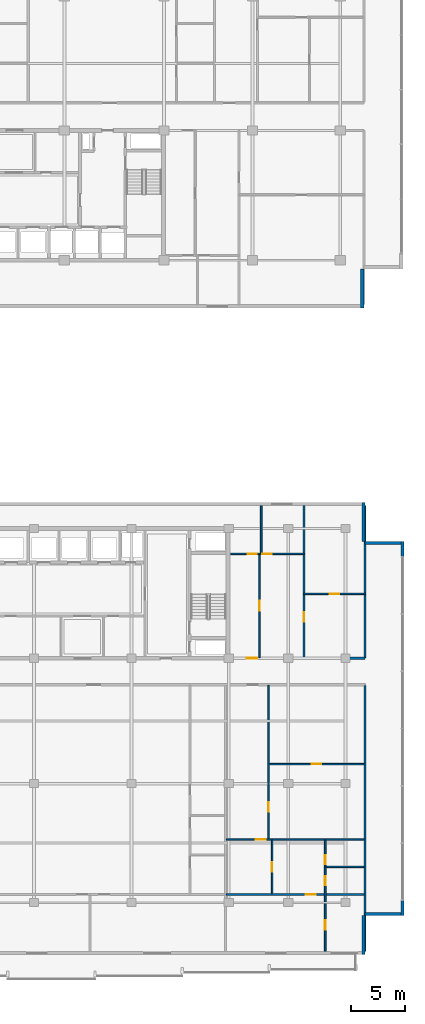
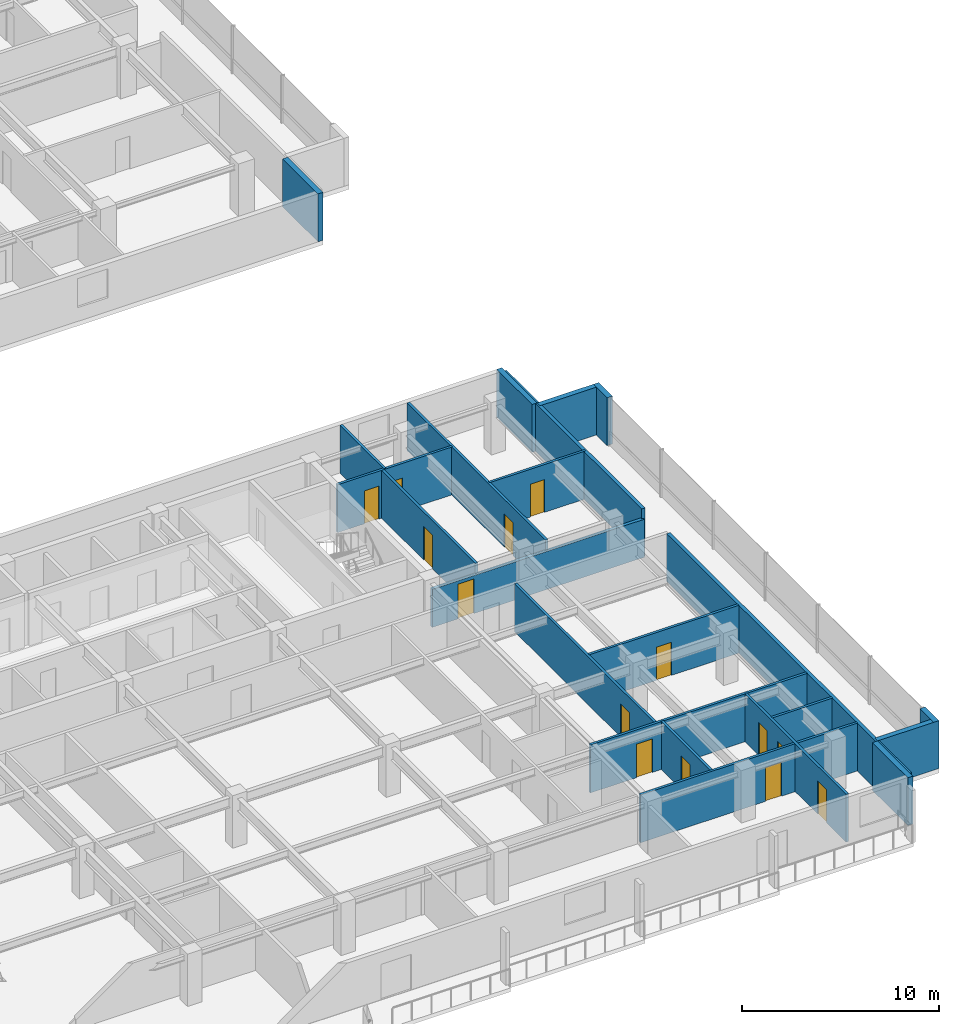
# One storey, part 26 of 38: 22 walls, 14 doors, 14 openings.
"""IFC4 building model written with IfcOpenShell, lengths in metres."""

from ifc_helpers import new_model, si_unit, direction, frame, frame_2d, origin, place, context, subcontext, project, spatial, rectangle, extrude, material, layer, layer_set, type_object, element, fill, save


model = new_model("IFC4")

# Units and contexts
model_context = context("Model", 3, precision=1e-05, world=origin(), true_north=direction((0.0, 1.0)))
body_context = subcontext(model_context, "Body", "Model", "MODEL_VIEW")
ifc_project = project(units=[si_unit("LENGTHUNIT", "METRE"), si_unit("AREAUNIT", "SQUARE_METRE"), si_unit("VOLUMEUNIT", "CUBIC_METRE"), si_unit("PLANEANGLEUNIT", "RADIAN"), si_unit("MASSUNIT", "GRAM", prefix="KILO")], contexts=[model_context])

# Site, building, storey
site_placement = place(None, origin())
site = spatial("IfcSite", under=ifc_project, at=site_placement, CompositionType="ELEMENT")
building_placement = place(site_placement, origin())
building = spatial("IfcBuilding", under=site, at=building_placement, Name="Korimba Cascade Residences", CompositionType="ELEMENT")
storey_placement = place(building_placement, frame((0.0, 0.0, 93.800048828125)))
storey = spatial("IfcBuildingStorey", under=building, at=storey_placement, Name="L26", CompositionType="ELEMENT", Elevation=93.800048828125)

# Walls
ifc_material_1 = material(Name="Precast concrete C40/50", Category="concrete")
ifc_layer_1 = layer(ifc_material_1, 0.300048828125)
ifc_layer_set_1 = layer_set([ifc_layer_1], Name="Precast concrete C40/50")
wall_type_1 = type_object("IfcWallType", Name="EW-STONE-300", PredefinedType="STANDARD", material=ifc_layer_set_1)
wall_1_placement = place(storey_placement, frame((130.449951171875, 50.800048828125, 0.0), z_axis=(0.0, 0.0, 1.0), x_axis=(0.0, 1.0, 0.0)))
element("IfcWall", 1, at=wall_1_placement, inside=storey, type_object=wall_type_1, Name="L26 T1 Perimeter Stone Wall E01", PredefinedType="STANDARD", context=body_context, shape_type="SweptSolid", body=[
    extrude(rectangle(XDim=3.599853515625, YDim=0.300048828125, at=frame_2d((1.7998046875, 0.0))), origin(), (0.0, 0.0, 1.0), 2.969970703125),
])
for number, where, z_axis, x_axis, name in (
    (2, (130.550048828125, -9.0, 0.0), (0.0, 0.0, 1.0), (0.0, 1.0, 0.0), "L26 T2 Perimeter Stone Wall E01"),
    (3, (130.699951171875, -5.25, 0.0), (0.0, 0.0, 1.0), (1.0, 0.0, 0.0), "L26 T2 Perimeter Stone Wall E02"),
):
    element("IfcWall", number, at=place(storey_placement, frame(where, z_axis=z_axis, x_axis=x_axis)), inside=storey, type_object=wall_type_1, Name=name, PredefinedType="STANDARD", context=body_context, shape_type="SweptSolid", body=[
        extrude(rectangle(XDim=3.60009765625, YDim=0.300048828125, at=frame_2d((1.800048828125, 0.0))), origin(), (0.0, 0.0, 1.0), 2.969970703125),
    ])
for number, where, z_axis, x_axis, name in (
    (4, (134.14990234375, -5.39990234375, 0.0), (0.0, 0.0, 1.0), (0.0, 1.0, 0.0), "L26 T2 Sky Pier 3A"),
    (5, (134.14990234375, 27.800048828125, 0.0), (0.0, 0.0, 1.0), (0.0, 1.0, 0.0), "L26 T2 Sky Pier 3B"),
):
    element("IfcWall", number, at=place(storey_placement, frame(where, z_axis=z_axis, x_axis=x_axis)), inside=storey, type_object=wall_type_1, Name=name, PredefinedType="STANDARD", context=body_context, shape_type="SweptSolid", body=[
        extrude(rectangle(XDim=1.39990234375, YDim=0.300048828125, at=frame_2d((0.699951171875, 0.0))), origin(), (0.0, 0.0, 1.0), 2.969970703125),
    ])
for number, where, z_axis, x_axis, name in (
    (6, (134.300048828125, 29.050048828125, 0.0), (0.0, 0.0, 1.0), (-1.0, 0.0, 0.0), "L26 T2 Perimeter Stone Wall E04"),
    (7, (130.550048828125, 29.199951171875, 0.0), (0.0, 0.0, 1.0), (0.0, 1.0, 0.0), "L26 T2 Perimeter Stone Wall E05"),
):
    element("IfcWall", number, at=place(storey_placement, frame(where, z_axis=z_axis, x_axis=x_axis)), inside=storey, type_object=wall_type_1, Name=name, PredefinedType="STANDARD", context=body_context, shape_type="SweptSolid", body=[
        extrude(rectangle(XDim=3.60009765625, YDim=0.300048828125, at=frame_2d((1.800048828125, 0.0))), origin(), (0.0, 0.0, 1.0), 2.969970703125),
    ])
ifc_layer_2 = layer(ifc_material_1, 0.199951171875)
ifc_layer_set_2 = layer_set([ifc_layer_2], Name="Precast concrete C40/50")
wall_type_2 = type_object("IfcWallType", Name="WAL-IT-200", PredefinedType="PARTITIONING", material=ifc_layer_set_2)
wall_2_placement = place(storey_placement, frame((130.699951171875, 18.39990234375, 0.0), z_axis=(0.0, 0.0, 1.0), x_axis=(0.0, 1.0, 0.0)))
element("IfcWall", 8, at=wall_2_placement, inside=storey, type_object=wall_type_2, Name="L26 Partition Wall WAL-L26-T2-FE-WR", PredefinedType="PARTITIONING", context=body_context, shape_type="SweptSolid", body=[
    extrude(rectangle(XDim=14.10009765625, YDim=0.199951171875, at=frame_2d((7.050048828125, 0.0))), origin(), (0.0, 0.0, 1.0), 2.969970703125),
])

# Wall, opening, door
wall_3_placement = place(storey_placement, frame((118.25, 18.39990234375, 0.0), z_axis=(0.0, 0.0, 1.0), x_axis=(1.0, 0.0, 0.0)))
wall_3 = element("IfcWall", 9, at=wall_3_placement, inside=storey, type_object=wall_type_2, Name="L26 Partition Wall WAL-L26-T2-FE-S", PredefinedType="PARTITIONING", context=body_context, shape_type="SweptSolid", body=[
    extrude(rectangle(XDim=12.449951171875, YDim=0.199951171875, at=frame_2d((6.22509765625, 0.0))), origin(), (0.0, 0.0, 1.0), 2.357666015625),
])
opening_1_placement = place(wall_3_placement, frame((1.510009765625, 0.0, 0.0)))
opening_1 = element("IfcOpeningElement", 10, at=opening_1_placement, cuts=wall_3, Name="Opening D-UN1", PredefinedType="OPENING", context=body_context, shape_type="SweptSolid", body=[
    extrude(rectangle(XDim=0.949951171875, YDim=2.14990234375, at=frame_2d((0.47509765625, 1.074951171875))), frame((0.0, 0.10986328125, 0.0), z_axis=(0.0, -1.0, 0.0), x_axis=(1.0, 0.0, 0.0)), (0.0, 0.0, 1.0), 0.219970703125),
])
ifc_material_2 = material(Name="Fire-Rated Hardwood Apartment Entrance Door", Category="wood")
door_type_1 = type_object("IfcDoorType", Name="DR-FD60-950", OperationType="NOTDEFINED", PredefinedType="DOOR", material=ifc_material_2)
door_1_placement = place(opening_1_placement, origin())
door_1 = element("IfcDoor", 11, at=door_1_placement, inside=storey, type_object=door_type_1, Name="L26-T2-FE Entrance Door", OperationType="SINGLE_SWING_RIGHT", OverallHeight=2.14990234375, OverallWidth=0.949951171875, PredefinedType="DOOR", context=body_context, shape_type="SweptSolid", body=[
    extrude(rectangle(XDim=0.949951171875, YDim=2.14990234375, at=frame_2d((0.47509765625, 1.074951171875))), frame((0.0, 0.02490234375, 0.0), z_axis=(0.0, -1.0, 0.0), x_axis=(1.0, 0.0, 0.0)), (0.0, 0.0, 1.0), 0.050048828125),
])
fill(opening_1, door_1)

# Wall
wall_4_placement = place(storey_placement, frame((130.699951171875, -8.699951171875, 0.0), z_axis=(0.0, 0.0, 1.0), x_axis=(0.0, 1.0, 0.0)))
element("IfcWall", 12, at=wall_4_placement, inside=storey, type_object=wall_type_2, Name="L26 Partition Wall WAL-L26-T2-BNDWR", PredefinedType="PARTITIONING", context=body_context, shape_type="SweptSolid", body=[
    extrude(rectangle(XDim=24.570068359375, YDim=0.199951171875, at=frame_2d((12.28515625, 0.0))), origin(), (0.0, 0.0, 1.0), 2.969970703125),
])

# Wall, opening, door
ifc_material_3 = material(Name="Insulated Acoustic Stud Partition", Category="gypsum")
ifc_layer_3 = layer(ifc_material_3, 0.14990234375)
ifc_layer_set_3 = layer_set([ifc_layer_3], Name="Insulated Acoustic Stud Partition")
wall_type_3 = type_object("IfcWallType", Name="WAL-PART-150", PredefinedType="PARTITIONING", material=ifc_layer_set_3)
wall_5_placement = place(storey_placement, frame((125.050048828125, 24.35009765625, 0.0), z_axis=(0.0, 0.0, 1.0), x_axis=(1.0, 0.0, 0.0)))
wall_5 = element("IfcWall", 13, at=wall_5_placement, inside=storey, type_object=wall_type_3, Name="L26 Partition Wall WAL-L26-T2-FE-STH", PredefinedType="PARTITIONING", context=body_context, shape_type="SweptSolid", body=[
    extrude(rectangle(XDim=5.64990234375, YDim=0.14990234375, at=frame_2d((2.824951171875, 0.0))), origin(), (0.0, 0.0, 1.0), 2.969970703125),
])
opening_2_placement = place(wall_5_placement, frame((2.405029296875, 0.0, 0.0)))
opening_2 = element("IfcOpeningElement", 14, at=opening_2_placement, cuts=wall_5, Name="Opening D-BT1", PredefinedType="OPENING", context=body_context, shape_type="SweptSolid", body=[
    extrude(rectangle(XDim=0.840087890625, YDim=2.0400390625, at=frame_2d((0.419921875, 1.02001953125))), frame((0.0, 0.0849609375, 0.0), z_axis=(0.0, -1.0, 0.0), x_axis=(1.0, 0.0, 0.0)), (0.0, 0.0, 1.0), 0.169921875),
])
ifc_material_4 = material(Name="Moisture-Resistant Bathroom Timber Door", Category="wood")
door_type_2 = type_object("IfcDoorType", Name="DR-INT-850", OperationType="NOTDEFINED", PredefinedType="DOOR", material=ifc_material_4)
door_2_placement = place(opening_2_placement, origin())
door_2 = element("IfcDoor", 15, at=door_2_placement, inside=storey, type_object=door_type_2, Name="L26-T2-FE Dressing Store Door", OperationType="SINGLE_SWING_LEFT", OverallHeight=2.0400390625, OverallWidth=0.840087890625, PredefinedType="DOOR", context=body_context, shape_type="SweptSolid", body=[
    extrude(rectangle(XDim=0.840087890625, YDim=2.0400390625, at=frame_2d((0.419921875, 1.02001953125))), frame((0.0, 0.02490234375, 0.0), z_axis=(0.0, -1.0, 0.0), x_axis=(1.0, 0.0, 0.0)), (0.0, 0.0, 1.0), 0.050048828125),
])
fill(opening_2, door_2)

wall_6_placement = place(storey_placement, frame((125.050048828125, 18.449951171875, 0.0), z_axis=(0.0, 0.0, 1.0), x_axis=(0.0, 1.0, 0.0)))
wall_6 = element("IfcWall", 16, at=wall_6_placement, inside=storey, type_object=wall_type_3, Name="L26 Partition Wall WAL-L26-T2-FE-STV", PredefinedType="PARTITIONING", context=body_context, shape_type="SweptSolid", body=[
    extrude(rectangle(XDim=14.050048828125, YDim=0.14990234375, at=frame_2d((7.02490234375, 0.0))), origin(), (0.0, 0.0, 1.0), 2.969970703125),
])
opening_3_placement = place(wall_6_placement, frame((3.320068359375, 0.0, 0.0)))
opening_3 = element("IfcOpeningElement", 17, at=opening_3_placement, cuts=wall_6, Name="Opening D-IN2", PredefinedType="OPENING", context=body_context, shape_type="SweptSolid", body=[
    extrude(rectangle(XDim=0.8798828125, YDim=2.06005859375, at=frame_2d((0.43994140625, 1.030029296875))), frame((0.0, 0.0849609375, 0.0), z_axis=(0.0, -1.0, 0.0), x_axis=(1.0, 0.0, 0.0)), (0.0, 0.0, 1.0), 0.169921875),
])
ifc_material_5 = material(Name="Acoustic Timber Bedroom Door", Category="wood")
door_type_3 = type_object("IfcDoorType", Name="DR-INT-880", OperationType="NOTDEFINED", PredefinedType="DOOR", material=ifc_material_5)
door_3_placement = place(opening_3_placement, origin())
door_3 = element("IfcDoor", 18, at=door_3_placement, inside=storey, type_object=door_type_3, Name="L26-T2-FE Study Door", OperationType="SINGLE_SWING_RIGHT", OverallHeight=2.06005859375, OverallWidth=0.8798828125, PredefinedType="DOOR", context=body_context, shape_type="SweptSolid", body=[
    extrude(rectangle(XDim=0.8798828125, YDim=2.06005859375, at=frame_2d((0.43994140625, 1.030029296875))), frame((0.0, 0.02490234375, 0.0), z_axis=(0.0, -1.0, 0.0), x_axis=(1.0, 0.0, 0.0)), (0.0, 0.0, 1.0), 0.050048828125),
])
fill(opening_3, door_3)

wall_7_placement = place(storey_placement, frame((120.929931640625, 18.449951171875, 0.0), z_axis=(0.0, 0.0, 1.0), x_axis=(0.0, 1.0, 0.0)))
wall_7 = element("IfcWall", 19, at=wall_7_placement, inside=storey, type_object=wall_type_3, Name="L26 Partition Wall WAL-L26-T2-FE-VS", PredefinedType="PARTITIONING", context=body_context, shape_type="SweptSolid", body=[
    extrude(rectangle(XDim=9.60009765625, YDim=0.14990234375, at=frame_2d((4.800048828125, 0.0))), origin(), (0.0, 0.0, 1.0), 2.969970703125),
])
opening_4_placement = place(wall_7_placement, frame((4.340087890625, 0.0, 0.0)))
opening_4 = element("IfcOpeningElement", 20, at=opening_4_placement, cuts=wall_7, Name="Opening D-IN1", PredefinedType="OPENING", context=body_context, shape_type="SweptSolid", body=[
    extrude(rectangle(XDim=0.919921875, YDim=2.080078125, at=frame_2d((0.4599609375, 1.0400390625))), frame((0.0, 0.0849609375, 0.0), z_axis=(0.0, -1.0, 0.0), x_axis=(1.0, 0.0, 0.0)), (0.0, 0.0, 1.0), 0.169921875),
])
ifc_material_6 = material(Name="Acoustic Timber Living Door", Category="wood")
door_type_4 = type_object("IfcDoorType", Name="DR-INT-920", OperationType="NOTDEFINED", PredefinedType="DOOR", material=ifc_material_6)
door_4_placement = place(opening_4_placement, origin())
door_4 = element("IfcDoor", 21, at=door_4_placement, inside=storey, type_object=door_type_4, Name="L26-T2-FE Living Door", OperationType="SINGLE_SWING_LEFT", OverallHeight=2.080078125, OverallWidth=0.919921875, PredefinedType="DOOR", context=body_context, shape_type="SweptSolid", body=[
    extrude(rectangle(XDim=0.919921875, YDim=2.080078125, at=frame_2d((0.4599609375, 1.0400390625))), frame((0.0, 0.02490234375, 0.0), z_axis=(0.0, -1.0, 0.0), x_axis=(1.0, 0.0, 0.0)), (0.0, 0.0, 1.0), 0.050048828125),
])
fill(opening_4, door_4)

# Wall
wall_8_placement = place(storey_placement, frame((121.10009765625, 28.050048828125, 0.0), z_axis=(0.0, 0.0, 1.0), x_axis=(0.0, 1.0, 0.0)))
element("IfcWall", 22, at=wall_8_placement, inside=storey, type_object=wall_type_3, Name="L26 Partition Wall WAL-L26-T2-FE-VN", PredefinedType="PARTITIONING", context=body_context, shape_type="SweptSolid", body=[
    extrude(rectangle(XDim=4.449951171875, YDim=0.14990234375, at=frame_2d((2.22509765625, 0.0))), origin(), (0.0, 0.0, 1.0), 2.969970703125),
])

# Wall, openings, doors
wall_9_placement = place(storey_placement, frame((118.27001953125, 28.050048828125, 0.0), z_axis=(0.0, 0.0, 1.0), x_axis=(1.0, 0.0, 0.0)))
wall_9 = element("IfcWall", 23, at=wall_9_placement, inside=storey, type_object=wall_type_3, Name="L26 Partition Wall WAL-L26-T2-FE-H", PredefinedType="PARTITIONING", context=body_context, shape_type="SweptSolid", body=[
    extrude(rectangle(XDim=6.760009765625, YDim=0.14990234375, at=frame_2d((3.3798828125, 0.0))), origin(), (0.0, 0.0, 1.0), 2.969970703125),
])
opening_5_placement = place(wall_9_placement, frame((1.58740234375, 0.0, 0.0)))
opening_5 = element("IfcOpeningElement", 24, at=opening_5_placement, cuts=wall_9, Name="Opening D-BT1", PredefinedType="OPENING", context=body_context, shape_type="SweptSolid", body=[
    extrude(rectangle(XDim=0.840087890625, YDim=2.0400390625, at=frame_2d((0.419921875, 1.02001953125))), frame((0.0, 0.0849609375, 0.0), z_axis=(0.0, -1.0, 0.0), x_axis=(1.0, 0.0, 0.0)), (0.0, 0.0, 1.0), 0.169921875),
])
opening_6_placement = place(wall_9_placement, frame((2.93994140625, 0.0, 0.0)))
opening_6 = element("IfcOpeningElement", 25, at=opening_6_placement, cuts=wall_9, Name="Opening D-IN2", PredefinedType="OPENING", context=body_context, shape_type="SweptSolid", body=[
    extrude(rectangle(XDim=0.8798828125, YDim=2.06005859375, at=frame_2d((0.43994140625, 1.030029296875))), frame((0.0, 0.0849609375, 0.0), z_axis=(0.0, -1.0, 0.0), x_axis=(1.0, 0.0, 0.0)), (0.0, 0.0, 1.0), 0.169921875),
])
door_5_placement = place(opening_5_placement, origin())
door_5 = element("IfcDoor", 26, at=door_5_placement, inside=storey, type_object=door_type_2, Name="L26-T2-FE Bathroom Door", OperationType="SINGLE_SWING_RIGHT", OverallHeight=2.0400390625, OverallWidth=0.840087890625, PredefinedType="DOOR", context=body_context, shape_type="SweptSolid", body=[
    extrude(rectangle(XDim=0.840087890625, YDim=2.0400390625, at=frame_2d((0.419921875, 1.02001953125))), frame((0.0, 0.02490234375, 0.0), z_axis=(0.0, -1.0, 0.0), x_axis=(1.0, 0.0, 0.0)), (0.0, 0.0, 1.0), 0.050048828125),
])
fill(opening_5, door_5)
door_6_placement = place(opening_6_placement, origin())
door_6 = element("IfcDoor", 27, at=door_6_placement, inside=storey, type_object=door_type_3, Name="L26-T2-FE Bedroom Door", OperationType="SINGLE_SWING_LEFT", OverallHeight=2.06005859375, OverallWidth=0.8798828125, PredefinedType="DOOR", context=body_context, shape_type="SweptSolid", body=[
    extrude(rectangle(XDim=0.8798828125, YDim=2.06005859375, at=frame_2d((0.43994140625, 1.030029296875))), frame((0.0, 0.02490234375, 0.0), z_axis=(0.0, -1.0, 0.0), x_axis=(1.0, 0.0, 0.0)), (0.0, 0.0, 1.0), 0.050048828125),
])
fill(opening_6, door_6)

# Wall, opening, door
wall_10_placement = place(storey_placement, frame((121.818603515625, 8.610107421875, 0.0), z_axis=(0.0, 0.0, 1.0), x_axis=(1.0, 0.0, 0.0)))
wall_10 = element("IfcWall", 28, at=wall_10_placement, inside=storey, type_object=wall_type_3, Name="L26 Partition Wall WAL-L26-T2-U03-FMH", PredefinedType="PARTITIONING", context=body_context, shape_type="SweptSolid", body=[
    extrude(rectangle(XDim=8.801513671875, YDim=0.14990234375, at=frame_2d((4.40087890625, 0.0))), origin(), (0.0, 0.0, 1.0), 2.969970703125),
])
opening_7_placement = place(wall_10_placement, frame((3.960693359375, 0.0, 0.0)))
opening_7 = element("IfcOpeningElement", 29, at=opening_7_placement, cuts=wall_10, Name="Opening D-IN2", PredefinedType="OPENING", context=body_context, shape_type="SweptSolid", body=[
    extrude(rectangle(XDim=0.8798828125, YDim=2.06005859375, at=frame_2d((0.43994140625, 1.030029296875))), frame((0.0, 0.0849609375, 0.0), z_axis=(0.0, -1.0, 0.0), x_axis=(1.0, 0.0, 0.0)), (0.0, 0.0, 1.0), 0.169921875),
])
door_7_placement = place(opening_7_placement, origin())
door_7 = element("IfcDoor", 30, at=door_7_placement, inside=storey, type_object=door_type_3, Name="L26-T2-U03 Library Salon Door", OperationType="SINGLE_SWING_LEFT", OverallHeight=2.06005859375, OverallWidth=0.8798828125, PredefinedType="DOOR", context=body_context, shape_type="SweptSolid", body=[
    extrude(rectangle(XDim=0.8798828125, YDim=2.06005859375, at=frame_2d((0.43994140625, 1.030029296875))), frame((0.0, 0.02490234375, 0.0), z_axis=(0.0, -1.0, 0.0), x_axis=(1.0, 0.0, 0.0)), (0.0, 0.0, 1.0), 0.050048828125),
])
fill(opening_7, door_7)

wall_11_placement = place(storey_placement, frame((121.758544921875, 1.68994140625, 0.0), z_axis=(0.0, 0.0, 1.0), x_axis=(0.0, 1.0, 0.0)))
wall_11 = element("IfcWall", 31, at=wall_11_placement, inside=storey, type_object=wall_type_3, Name="L26 Partition Wall WAL-L26-T2-U03-FV", PredefinedType="PARTITIONING", context=body_context, shape_type="SweptSolid", body=[
    extrude(rectangle(XDim=14.199951171875, YDim=0.14990234375, at=frame_2d((7.10009765625, 0.0))), origin(), (0.0, 0.0, 1.0), 2.969970703125),
])
opening_8_placement = place(wall_11_placement, frame((2.52587890625, 0.0, 0.0)))
opening_8 = element("IfcOpeningElement", 32, at=opening_8_placement, cuts=wall_11, Name="Opening D-IN2", PredefinedType="OPENING", context=body_context, shape_type="SweptSolid", body=[
    extrude(rectangle(XDim=0.8798828125, YDim=2.06005859375, at=frame_2d((0.43994140625, 1.030029296875))), frame((0.0, 0.0849609375, 0.0), z_axis=(0.0, -1.0, 0.0), x_axis=(1.0, 0.0, 0.0)), (0.0, 0.0, 1.0), 0.169921875),
])
door_8_placement = place(opening_8_placement, origin())
door_8 = element("IfcDoor", 33, at=door_8_placement, inside=storey, type_object=door_type_3, Name="L26-T2-U03 Media Lounge Door", OperationType="SINGLE_SWING_RIGHT", OverallHeight=2.06005859375, OverallWidth=0.8798828125, PredefinedType="DOOR", context=body_context, shape_type="SweptSolid", body=[
    extrude(rectangle(XDim=0.8798828125, YDim=2.06005859375, at=frame_2d((0.43994140625, 1.030029296875))), frame((0.0, 0.02490234375, 0.0), z_axis=(0.0, -1.0, 0.0), x_axis=(1.0, 0.0, 0.0)), (0.0, 0.0, 1.0), 0.050048828125),
])
fill(opening_8, door_8)

wall_12_placement = place(storey_placement, frame((122.108642578125, -3.389892578125, 0.0), z_axis=(0.0, 0.0, 1.0), x_axis=(0.0, 1.0, 0.0)))
wall_12 = element("IfcWall", 34, at=wall_12_placement, inside=storey, type_object=wall_type_3, Name="L26 Partition Wall WAL-L26-T2-U03-VDIN", PredefinedType="PARTITIONING", context=body_context, shape_type="SweptSolid", body=[
    extrude(rectangle(XDim=5.0, YDim=0.14990234375, at=frame_2d((2.5, 0.0))), origin(), (0.0, 0.0, 1.0), 2.969970703125),
])
opening_9_placement = place(wall_12_placement, frame((2.06005859375, 0.0, 0.0)))
opening_9 = element("IfcOpeningElement", 35, at=opening_9_placement, cuts=wall_12, Name="Opening D-IN2", PredefinedType="OPENING", context=body_context, shape_type="SweptSolid", body=[
    extrude(rectangle(XDim=0.8798828125, YDim=2.06005859375, at=frame_2d((0.43994140625, 1.030029296875))), frame((0.0, 0.0849609375, 0.0), z_axis=(0.0, -1.0, 0.0), x_axis=(1.0, 0.0, 0.0)), (0.0, 0.0, 1.0), 0.169921875),
])
door_9_placement = place(opening_9_placement, origin())
door_9 = element("IfcDoor", 36, at=door_9_placement, inside=storey, type_object=door_type_3, Name="L26-T2-U03 Dining Room Door", OperationType="SINGLE_SWING_LEFT", OverallHeight=2.06005859375, OverallWidth=0.8798828125, PredefinedType="DOOR", context=body_context, shape_type="SweptSolid", body=[
    extrude(rectangle(XDim=0.8798828125, YDim=2.06005859375, at=frame_2d((0.43994140625, 1.030029296875))), frame((0.0, 0.02490234375, 0.0), z_axis=(0.0, -1.0, 0.0), x_axis=(1.0, 0.0, 0.0)), (0.0, 0.0, 1.0), 0.050048828125),
])
fill(opening_9, door_9)

# Wall
wall_13_placement = place(storey_placement, frame((127.080078125, -0.889892578125, 0.0), z_axis=(0.0, 0.0, 1.0), x_axis=(1.0, 0.0, 0.0)))
element("IfcWall", 37, at=wall_13_placement, inside=storey, type_object=wall_type_3, Name="L26 Partition Wall WAL-L26-T2-U03-BLDIV", PredefinedType="PARTITIONING", context=body_context, shape_type="SweptSolid", body=[
    extrude(rectangle(XDim=3.5400390625, YDim=0.14990234375, at=frame_2d((1.77001953125, 0.0))), origin(), (0.0, 0.0, 1.0), 2.969970703125),
])

# Wall, openings, doors
wall_14_placement = place(storey_placement, frame((127.02001953125, -8.699951171875, 0.0), z_axis=(0.0, 0.0, 1.0), x_axis=(0.0, 1.0, 0.0)))
wall_14 = element("IfcWall", 38, at=wall_14_placement, inside=storey, type_object=wall_type_3, Name="L26 Partition Wall WAL-L26-T2-U03-V1", PredefinedType="PARTITIONING", context=body_context, shape_type="SweptSolid", body=[
    extrude(rectangle(XDim=10.31005859375, YDim=0.14990234375, at=frame_2d((5.155029296875, 0.0))), origin(), (0.0, 0.0, 1.0), 2.969970703125),
])
opening_10_placement = place(wall_14_placement, frame((6.120361328125, 0.0, 0.0)))
opening_10 = element("IfcOpeningElement", 39, at=opening_10_placement, cuts=wall_14, Name="Opening D-BT1", PredefinedType="OPENING", context=body_context, shape_type="SweptSolid", body=[
    extrude(rectangle(XDim=0.840087890625, YDim=2.0400390625, at=frame_2d((0.419921875, 1.02001953125))), frame((0.0, 0.0849609375, 0.0), z_axis=(0.0, -1.0, 0.0), x_axis=(1.0, 0.0, 0.0)), (0.0, 0.0, 1.0), 0.169921875),
])
opening_11_placement = place(wall_14_placement, frame((8.03955078125, 0.0, 0.0)))
opening_11 = element("IfcOpeningElement", 40, at=opening_11_placement, cuts=wall_14, Name="Opening D-BT1", PredefinedType="OPENING", context=body_context, shape_type="SweptSolid", body=[
    extrude(rectangle(XDim=0.840087890625, YDim=2.0400390625, at=frame_2d((0.419921875, 1.02001953125))), frame((0.0, 0.0849609375, 0.0), z_axis=(0.0, -1.0, 0.0), x_axis=(1.0, 0.0, 0.0)), (0.0, 0.0, 1.0), 0.169921875),
])
opening_12_placement = place(wall_14_placement, frame((2.001220703125, 0.0, 0.0)))
opening_12 = element("IfcOpeningElement", 41, at=opening_12_placement, cuts=wall_14, Name="Opening D-IN2", PredefinedType="OPENING", context=body_context, shape_type="SweptSolid", body=[
    extrude(rectangle(XDim=0.8798828125, YDim=2.06005859375, at=frame_2d((0.43994140625, 1.030029296875))), frame((0.0, 0.0849609375, 0.0), z_axis=(0.0, -1.0, 0.0), x_axis=(1.0, 0.0, 0.0)), (0.0, 0.0, 1.0), 0.169921875),
])
door_10_placement = place(opening_10_placement, origin())
door_10 = element("IfcDoor", 42, at=door_10_placement, inside=storey, type_object=door_type_2, Name="L26-T2-U03 Bathroom Door", OperationType="SINGLE_SWING_RIGHT", OverallHeight=2.0400390625, OverallWidth=0.840087890625, PredefinedType="DOOR", context=body_context, shape_type="SweptSolid", body=[
    extrude(rectangle(XDim=0.840087890625, YDim=2.0400390625, at=frame_2d((0.419921875, 1.02001953125))), frame((0.0, 0.02490234375, 0.0), z_axis=(0.0, -1.0, 0.0), x_axis=(1.0, 0.0, 0.0)), (0.0, 0.0, 1.0), 0.050048828125),
])
fill(opening_10, door_10)
door_11_placement = place(opening_11_placement, origin())
door_11 = element("IfcDoor", 43, at=door_11_placement, inside=storey, type_object=door_type_2, Name="L26-T2-U03 Laundry Door", OperationType="SINGLE_SWING_LEFT", OverallHeight=2.0400390625, OverallWidth=0.840087890625, PredefinedType="DOOR", context=body_context, shape_type="SweptSolid", body=[
    extrude(rectangle(XDim=0.840087890625, YDim=2.0400390625, at=frame_2d((0.419921875, 1.02001953125))), frame((0.0, 0.02490234375, 0.0), z_axis=(0.0, -1.0, 0.0), x_axis=(1.0, 0.0, 0.0)), (0.0, 0.0, 1.0), 0.050048828125),
])
fill(opening_11, door_11)
door_12_placement = place(opening_12_placement, origin())
door_12 = element("IfcDoor", 44, at=door_12_placement, inside=storey, type_object=door_type_3, Name="L26-T2-U03 Bedroom 1 Door", OperationType="SINGLE_SWING_RIGHT", OverallHeight=2.06005859375, OverallWidth=0.8798828125, PredefinedType="DOOR", context=body_context, shape_type="SweptSolid", body=[
    extrude(rectangle(XDim=0.8798828125, YDim=2.06005859375, at=frame_2d((0.43994140625, 1.030029296875))), frame((0.0, 0.02490234375, 0.0), z_axis=(0.0, -1.0, 0.0), x_axis=(1.0, 0.0, 0.0)), (0.0, 0.0, 1.0), 0.050048828125),
])
fill(opening_12, door_12)

# Wall, opening, door
wall_15_placement = place(storey_placement, frame((117.86865234375, 1.64990234375, 0.0), z_axis=(0.0, 0.0, 1.0), x_axis=(1.0, 0.0, 0.0)))
wall_15 = element("IfcWall", 45, at=wall_15_placement, inside=storey, type_object=wall_type_3, Name="L26 Partition Wall WAL-L26-T2-U03-MW", PredefinedType="PARTITIONING", context=body_context, shape_type="SweptSolid", body=[
    extrude(rectangle(XDim=12.75146484375, YDim=0.14990234375, at=frame_2d((6.375732421875, 0.0))), origin(), (0.0, 0.0, 1.0), 2.969970703125),
])
opening_13_placement = place(wall_15_placement, frame((2.719970703125, 0.0, 0.0)))
opening_13 = element("IfcOpeningElement", 46, at=opening_13_placement, cuts=wall_15, Name="Opening D-IN1", PredefinedType="OPENING", context=body_context, shape_type="SweptSolid", body=[
    extrude(rectangle(XDim=0.919921875, YDim=2.080078125, at=frame_2d((0.4599609375, 1.0400390625))), frame((0.0, 0.0849609375, 0.0), z_axis=(0.0, -1.0, 0.0), x_axis=(1.0, 0.0, 0.0)), (0.0, 0.0, 1.0), 0.169921875),
])
door_13_placement = place(opening_13_placement, origin())
door_13 = element("IfcDoor", 47, at=door_13_placement, inside=storey, type_object=door_type_4, Name="L26-T2-U03 Kitchen Archway Door", OperationType="SINGLE_SWING_LEFT", OverallHeight=2.080078125, OverallWidth=0.919921875, PredefinedType="DOOR", context=body_context, shape_type="SweptSolid", body=[
    extrude(rectangle(XDim=0.919921875, YDim=2.080078125, at=frame_2d((0.4599609375, 1.0400390625))), frame((0.0, 0.02490234375, 0.0), z_axis=(0.0, -1.0, 0.0), x_axis=(1.0, 0.0, 0.0)), (0.0, 0.0, 1.0), 0.050048828125),
])
fill(opening_13, door_13)

wall_16_placement = place(storey_placement, frame((117.86865234375, -3.449951171875, 0.0), z_axis=(0.0, 0.0, 1.0), x_axis=(1.0, 0.0, 0.0)))
wall_16 = element("IfcWall", 48, at=wall_16_placement, inside=storey, type_object=wall_type_3, Name="L26 Partition Wall WAL-L26-T2-U03-HZ", PredefinedType="PARTITIONING", context=body_context, shape_type="SweptSolid", body=[
    extrude(rectangle(XDim=12.75146484375, YDim=0.14990234375, at=frame_2d((6.375732421875, 0.0))), origin(), (0.0, 0.0, 1.0), 2.969970703125),
])
opening_14_placement = place(wall_16_placement, frame((7.344482421875, 0.0, 0.0)))
opening_14 = element("IfcOpeningElement", 49, at=opening_14_placement, cuts=wall_16, Name="Opening D-IN0", PredefinedType="OPENING", context=body_context, shape_type="SweptSolid", body=[
    extrude(rectangle(XDim=0.93994140625, YDim=2.10009765625, at=frame_2d((0.469970703125, 1.050048828125))), frame((0.0, 0.0849609375, 0.0), z_axis=(0.0, -1.0, 0.0), x_axis=(1.0, 0.0, 0.0)), (0.0, 0.0, 1.0), 0.169921875),
])
ifc_material_7 = material(Name="Acoustic Timber Living Archway Door", Category="wood")
door_type_5 = type_object("IfcDoorType", Name="DR-INT-950", OperationType="NOTDEFINED", PredefinedType="DOOR", material=ifc_material_7)
door_14_placement = place(opening_14_placement, origin())
door_14 = element("IfcDoor", 50, at=door_14_placement, inside=storey, type_object=door_type_5, Name="L26-T2-U03 Living Archway Door", OperationType="SINGLE_SWING_RIGHT", OverallHeight=2.10009765625, OverallWidth=0.93994140625, PredefinedType="DOOR", context=body_context, shape_type="SweptSolid", body=[
    extrude(rectangle(XDim=0.93994140625, YDim=2.10009765625, at=frame_2d((0.469970703125, 1.050048828125))), frame((0.0, 0.02490234375, 0.0), z_axis=(0.0, -1.0, 0.0), x_axis=(1.0, 0.0, 0.0)), (0.0, 0.0, 1.0), 0.050048828125),
])
fill(opening_14, door_14)

save(model, "model.ifc")
